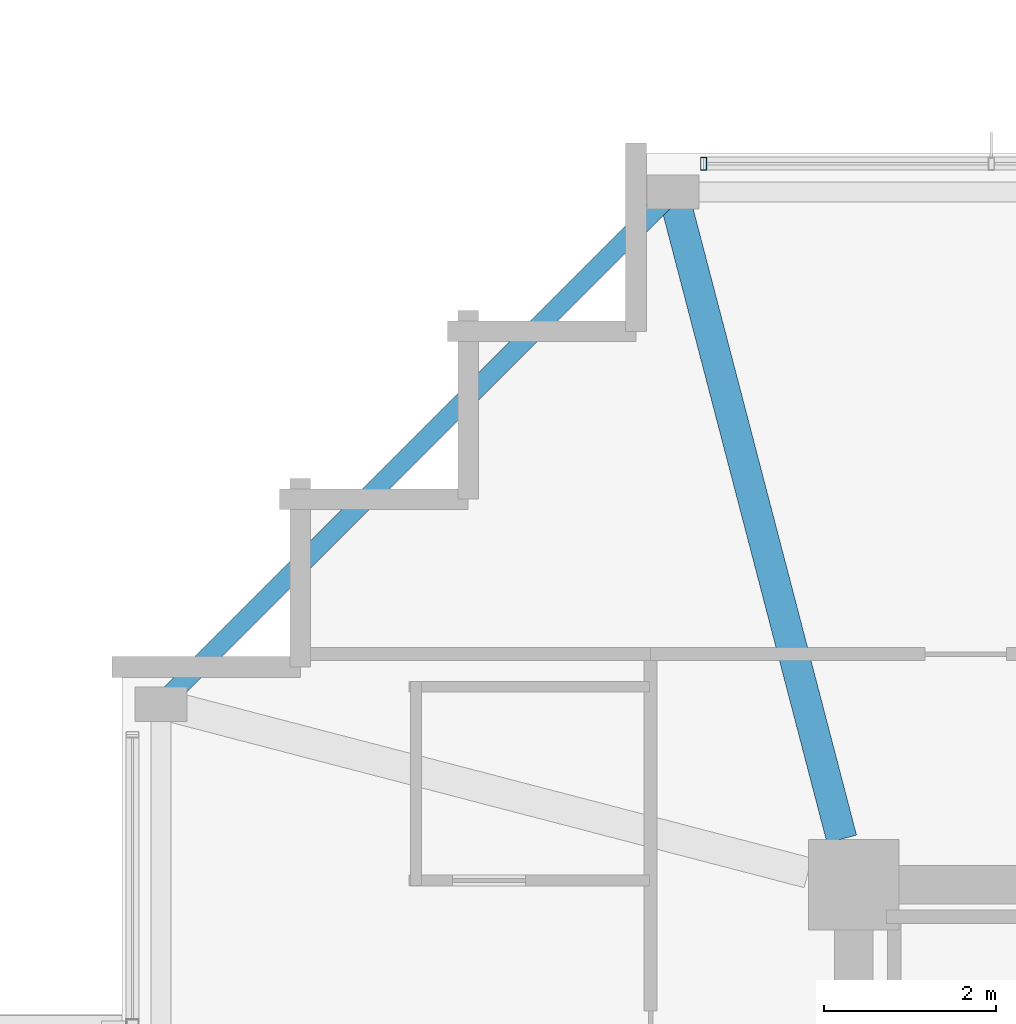
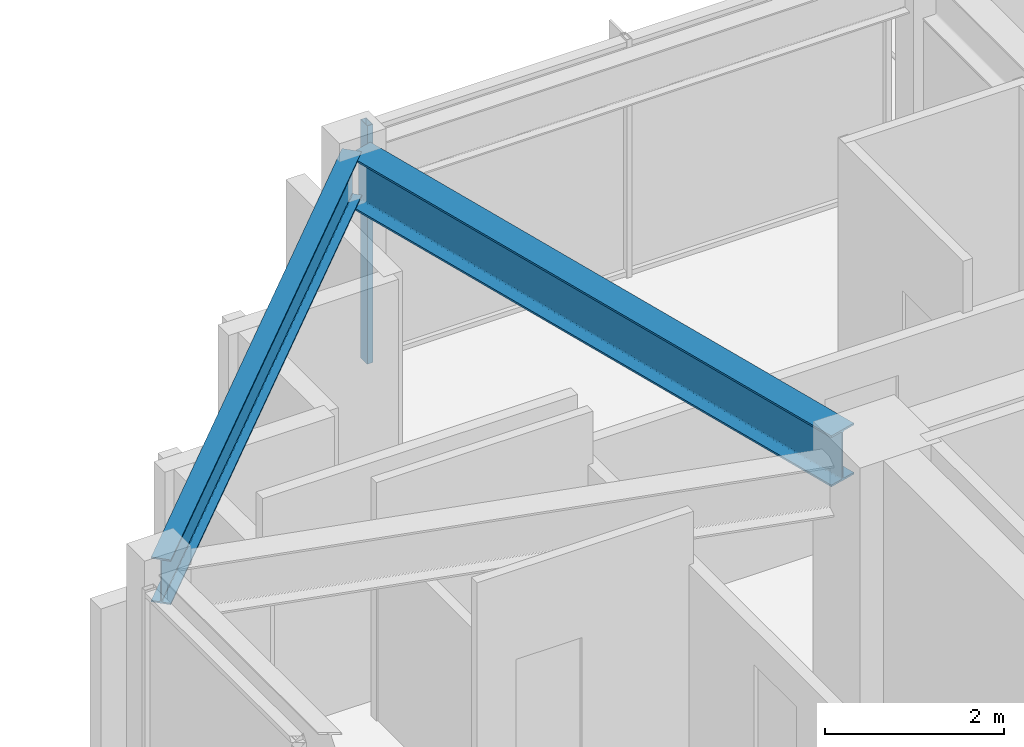
# One storey, part 14 of 31: 2 beams, 1 member, 1 element without a shape of its own.
"""IFC4 building model written with IfcOpenShell, lengths in metres."""

from ifc_helpers import new_model, si_unit, direction, frame, origin, origin_2d, place, context, subcontext, project, spatial, hollow_rectangle, i_section, extrude, material, material_profile, profile_set, type_object, element, aggregate, save


model = new_model("IFC4")

# Units and contexts
model_context = context("Model", 3, precision=1e-05, world=origin(), true_north=direction((0.0, 1.0)))
body_context = subcontext(model_context, "Body", "Model", "MODEL_VIEW")
ifc_project = project(units=[si_unit("LENGTHUNIT", "METRE"), si_unit("AREAUNIT", "SQUARE_METRE"), si_unit("VOLUMEUNIT", "CUBIC_METRE"), si_unit("PLANEANGLEUNIT", "RADIAN"), si_unit("MASSUNIT", "GRAM", prefix="KILO")], contexts=[model_context])

# Site, building, storey
site_placement = place(None, origin())
site = spatial("IfcSite", under=ifc_project, at=site_placement, CompositionType="ELEMENT")
building_placement = place(site_placement, origin())
building = spatial("IfcBuilding", under=site, at=building_placement, Name="Kolvaren Belvedere", CompositionType="ELEMENT")
storey_placement = place(building_placement, frame((0.0, 0.0, 251.39990234375)))
storey = spatial("IfcBuildingStorey", under=building, at=storey_placement, Name="L73", CompositionType="ELEMENT", Elevation=251.39990234375)

# Beams
ifc_material_1 = material(Name="Structural steel ASTM A992 Grade 50", Category="steel")
ifc_material_profile_1 = material_profile(ifc_material_1, i_section(OverallWidth=0.35498046875, OverallDepth=0.696044921875, WebThickness=0.015380859375, FlangeThickness=0.02490234375, FilletRadius=0.02197265625, at=origin_2d()), Name="W27X146")
ifc_profile_set_1 = profile_set([ifc_material_profile_1], Name="Structural steel ASTM A992 Grade 50")
beam_type_1 = type_object("IfcBeamType", Name="BM-GIRD-W27X146", PredefinedType="BEAM", material=ifc_profile_set_1)
beam_1_placement = place(storey_placement, frame((-10.038818359375, 10.43212890625, 2.902099609375), z_axis=(-0.252414142221, 0.967619295388, 0.0), x_axis=(-0.967619295388, -0.252414142221, 0.0)))
element("IfcBeam", 1, at=beam_1_placement, inside=storey, type_object=beam_type_1, Name="L73 Corner Core-to-Perimeter Girder CC4-N1", PredefinedType="BEAM", context=body_context, shape_type="SweptSolid", body=[
    extrude(i_section(OverallWidth=0.35498046875, OverallDepth=0.696044921875, WebThickness=0.015380859375, FlangeThickness=0.02490234375, FilletRadius=0.02197265625, at=origin_2d()), origin(), (0.0, 0.0, 1.0), 7.689453125),
])
ifc_material_2 = material(Name="Structural steel ASTM A992 Grade 50", Category="steel")
ifc_material_profile_2 = material_profile(ifc_material_2, i_section(OverallWidth=0.22900390625, OverallDepth=0.612060546875, WebThickness=0.011962890625, FlangeThickness=0.01953125, FilletRadius=0.01806640625, at=origin_2d()), Name="W24X84")
ifc_profile_set_2 = profile_set([ifc_material_profile_2], Name="Structural steel ASTM A992 Grade 50")
beam_type_2 = type_object("IfcBeamType", Name="BM-SPAN-W24X84", PredefinedType="SPANDREL", material=ifc_profile_set_2)
beam_2_placement = place(storey_placement, frame((-12.063720703125, 17.886474609375, 2.944091796875), z_axis=(-0.707106781187, -0.707106781187, 0.0), x_axis=(0.707106781187, -0.707106781187, 0.0)))
element("IfcBeam", 2, at=beam_2_placement, inside=storey, type_object=beam_type_2, Name="L73 Perimeter Spandrel N1-W4", PredefinedType="SPANDREL", context=body_context, shape_type="SweptSolid", body=[
    extrude(i_section(OverallWidth=0.22900390625, OverallDepth=0.612060546875, WebThickness=0.011962890625, FlangeThickness=0.01953125, FilletRadius=0.01806640625, at=origin_2d()), origin(), (0.0, 0.0, 1.0), 8.234619140625),
])

# Curtain wall, member
ifc_material_3 = material(Name="Anodised pale-metal aluminium AA 6063-T6", Category="aluminium")
curtain_wall_type = type_object("IfcCurtainWallType", Name="CW-Z5-HIGH", PredefinedType="NOTDEFINED", material=ifc_material_3)
curtain_wall_placement = place(storey_placement, origin())
curtain_wall = element("IfcCurtainWall", 3, at=curtain_wall_placement, inside=storey, type_object=curtain_wall_type, Name="L73 Unitised Curtain Wall FCW-L73-N1-B1", PredefinedType="NOTDEFINED")
ifc_material_4 = material(Name="Anodised pale-metal aluminium AA 6063-T6", Category="aluminium")
ifc_material_profile_3 = material_profile(ifc_material_4, hollow_rectangle(XDim=0.070068359375, YDim=0.14990234375, WallThickness=0.004150390625, at=origin_2d()), Name="ALU-MUL-150X70")
ifc_profile_set_3 = profile_set([ifc_material_profile_3], Name="Anodised pale-metal aluminium AA 6063-T6")
member_type = type_object("IfcMemberType", Name="CW-MUL-150", PredefinedType="MULLION", material=ifc_profile_set_3)
member_placement = place(storey_placement, frame((-11.64501953125, 18.280029296875, 0.0), z_axis=(0.0, 0.0, 1.0), x_axis=(1.0, 0.0, 0.0)))
member = element("IfcMember", 4, at=member_placement, type_object=member_type, Name="FCW-L73-N1-B1 Unitised Mullion 1", PredefinedType="MULLION", context=body_context, shape_type="SweptSolid", body=[
    extrude(hollow_rectangle(XDim=0.070068359375, YDim=0.14990234375, WallThickness=0.004150390625, at=origin_2d()), origin(), (0.0, 0.0, 1.0), 3.25),
])
aggregate(curtain_wall, [member])

save(model, "model.ifc")
